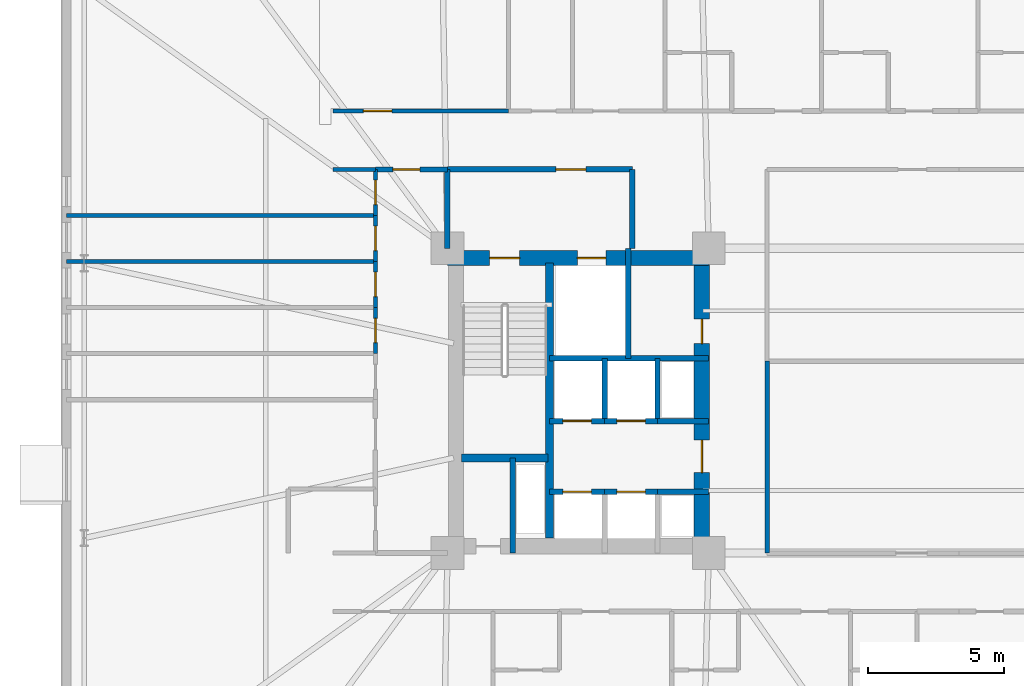
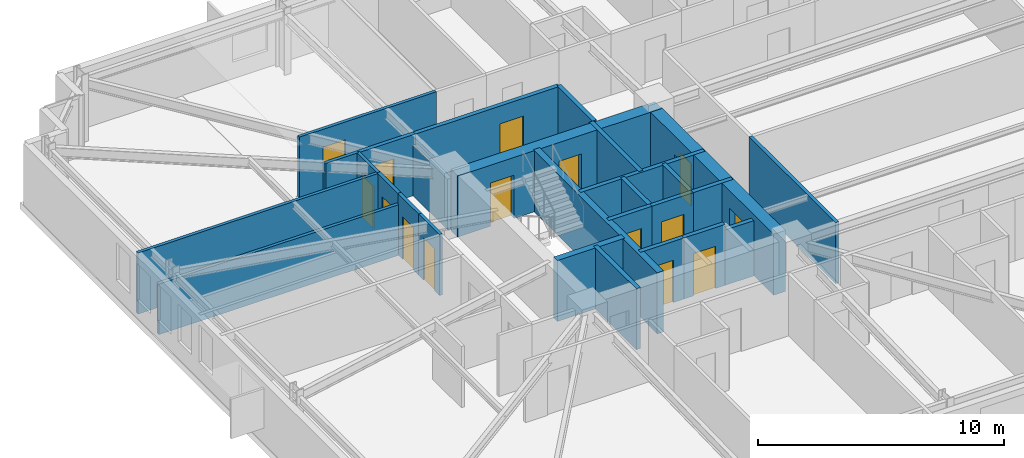
# One storey, part 15 of 22: 28 walls, 15 doors, 15 openings.
"""IFC4 building model written with IfcOpenShell, lengths in metres."""

from ifc_helpers import new_model, si_unit, direction, frame, frame_2d, origin, place, context, subcontext, project, spatial, rectangle, extrude, material, layer, layer_set, type_object, element, fill, save


model = new_model("IFC4")

# Units and contexts
model_context = context("Model", 3, precision=1e-05, world=origin(), true_north=direction((0.0, 1.0)))
body_context = subcontext(model_context, "Body", "Model", "MODEL_VIEW")
ifc_project = project(units=[si_unit("LENGTHUNIT", "METRE"), si_unit("AREAUNIT", "SQUARE_METRE"), si_unit("VOLUMEUNIT", "CUBIC_METRE"), si_unit("PLANEANGLEUNIT", "RADIAN"), si_unit("MASSUNIT", "GRAM", prefix="KILO")], contexts=[model_context])

# Site, building, storey
site_placement = place(None, origin())
site = spatial("IfcSite", under=ifc_project, at=site_placement, CompositionType="ELEMENT")
building_placement = place(site_placement, origin())
building = spatial("IfcBuilding", under=site, at=building_placement, Name="Qobustan Lattice House", CompositionType="ELEMENT")
storey_placement = place(building_placement, frame((0.0, 0.0, 53.800048828125)))
storey = spatial("IfcBuildingStorey", under=building, at=storey_placement, Name="L14", CompositionType="ELEMENT", Elevation=53.800048828125)

# Wall, openings, doors
ifc_material_1 = material(Name="Concrete C60/75", Category="concrete")
ifc_layer_1 = layer(ifc_material_1, 0.56005859375)
ifc_layer_set_1 = layer_set([ifc_layer_1], Name="Concrete C60/75")
wall_type_1 = type_object("IfcWallType", Name="WAL-CORE-600", PredefinedType="SHEAR", material=ifc_layer_set_1)
wall_1_placement = place(storey_placement, frame((-18.800048828125, 5.239990234375, 0.0), z_axis=(0.0, 0.0, 1.0), x_axis=(1.0, 0.0, 0.0)))
wall_1 = element("IfcWall", 1, at=wall_1_placement, inside=storey, type_object=wall_type_1, Name="L14 split-core shear wall CW-N", PredefinedType="SHEAR", context=body_context, shape_type="SweptSolid", body=[
    extrude(rectangle(XDim=9.60009765625, YDim=0.56005859375, at=frame_2d((4.800048828125, 0.0))), origin(), (0.0, 0.0, 1.0), 3.034912109375),
])
opening_1_placement = place(wall_1_placement, frame((1.550048828125, 0.0, 0.0)))
opening_1 = element("IfcOpeningElement", 2, at=opening_1_placement, cuts=wall_1, Name="Opening SD-01", PredefinedType="OPENING", context=body_context, shape_type="SweptSolid", body=[
    extrude(rectangle(XDim=1.10009765625, YDim=2.14990234375, at=frame_2d((0.550048828125, 1.074951171875))), frame((0.0, 0.2900390625, 0.0), z_axis=(0.0, -1.0, 0.0), x_axis=(1.0, 0.0, 0.0)), (0.0, 0.0, 1.0), 0.580078125),
])
opening_2_placement = place(wall_1_placement, frame((4.77490234375, 0.0, 0.0)))
opening_2 = element("IfcOpeningElement", 3, at=opening_2_placement, cuts=wall_1, Name="Opening LD-01", PredefinedType="OPENING", context=body_context, shape_type="SweptSolid", body=[
    extrude(rectangle(XDim=1.050048828125, YDim=2.10009765625, at=frame_2d((0.52490234375, 1.050048828125))), frame((0.0, 0.2900390625, 0.0), z_axis=(0.0, -1.0, 0.0), x_axis=(1.0, 0.0, 0.0)), (0.0, 0.0, 1.0), 0.580078125),
])
ifc_material_2 = material(Name="Persian walnut timber and steel frame door", Category="steel")
door_type_1 = type_object("IfcDoorType", Name="DOR-LIFT-LD-1050x2100", OperationType="NOTDEFINED", PredefinedType="DOOR", material=ifc_material_2)
door_1_placement = place(opening_2_placement, origin())
door_1 = element("IfcDoor", 4, at=door_1_placement, inside=storey, type_object=door_type_1, Name="L14 firefighting lift FF-W landing door", OperationType="DOUBLE_DOOR_SLIDING", OverallHeight=2.10009765625, OverallWidth=1.050048828125, PredefinedType="DOOR", context=body_context, shape_type="SweptSolid", body=[
    extrude(rectangle(XDim=1.050048828125, YDim=2.10009765625, at=frame_2d((0.52490234375, 1.050048828125))), frame((0.0, 0.02490234375, 0.0), z_axis=(0.0, -1.0, 0.0), x_axis=(1.0, 0.0, 0.0)), (0.0, 0.0, 1.0), 0.050048828125),
])
fill(opening_2, door_1)
ifc_material_3 = material(Name="Persian walnut timber and steel frame door", Category="steel")
door_type_2 = type_object("IfcDoorType", Name="DOR-STAIR-FD-1100x2150", OperationType="NOTDEFINED", PredefinedType="DOOR", material=ifc_material_3)
door_2_placement = place(opening_1_placement, origin())
door_2 = element("IfcDoor", 5, at=door_2_placement, inside=storey, type_object=door_type_2, Name="L14 exit stair ST-W1 fire door", OperationType="SINGLE_SWING_RIGHT", OverallHeight=2.14990234375, OverallWidth=1.10009765625, PredefinedType="DOOR", context=body_context, shape_type="SweptSolid", body=[
    extrude(rectangle(XDim=1.10009765625, YDim=2.14990234375, at=frame_2d((0.550048828125, 1.074951171875))), frame((0.0, 0.02490234375, 0.0), z_axis=(0.0, -1.0, 0.0), x_axis=(1.0, 0.0, 0.0)), (0.0, 0.0, 1.0), 0.050048828125),
])
fill(opening_1, door_2)

wall_2_placement = place(storey_placement, frame((-9.449951171875, -5.050048828125, 0.0), z_axis=(0.0, 0.0, 1.0), x_axis=(0.0, 1.0, 0.0)))
wall_2 = element("IfcWall", 6, at=wall_2_placement, inside=storey, type_object=wall_type_1, Name="L14 split-core shear wall CW-E", PredefinedType="SHEAR", context=body_context, shape_type="SweptSolid", body=[
    extrude(rectangle(XDim=10.10009765625, YDim=0.56005859375, at=frame_2d((5.050048828125, 0.0))), origin(), (0.0, 0.0, 1.0), 3.034912109375),
])
opening_3_placement = place(wall_2_placement, frame((7.14990234375, 0.0, 0.0)))
opening_3 = element("IfcOpeningElement", 7, at=opening_3_placement, cuts=wall_2, Name="Opening RD-01", PredefinedType="OPENING", context=body_context, shape_type="SweptSolid", body=[
    extrude(rectangle(XDim=0.89990234375, YDim=2.10009765625, at=frame_2d((0.449951171875, 1.050048828125))), frame((0.0, 0.2900390625, 0.0), z_axis=(0.0, -1.0, 0.0), x_axis=(1.0, 0.0, 0.0)), (0.0, 0.0, 1.0), 0.580078125),
])
opening_4_placement = place(wall_2_placement, frame((2.39990234375, 0.0, 0.0)))
opening_4 = element("IfcOpeningElement", 8, at=opening_4_placement, cuts=wall_2, Name="Opening FD-01", PredefinedType="OPENING", context=body_context, shape_type="SweptSolid", body=[
    extrude(rectangle(XDim=1.199951171875, YDim=2.14990234375, at=frame_2d((0.60009765625, 1.074951171875))), frame((0.0, 0.2900390625, 0.0), z_axis=(0.0, -1.0, 0.0), x_axis=(1.0, 0.0, 0.0)), (0.0, 0.0, 1.0), 0.580078125),
])
ifc_material_4 = material(Name="Persian walnut timber and steel frame door", Category="steel")
door_type_3 = type_object("IfcDoorType", Name="DOR-LOBBY-FD-1200x2150", OperationType="NOTDEFINED", PredefinedType="DOOR", material=ifc_material_4)
door_3_placement = place(opening_4_placement, origin())
door_3 = element("IfcDoor", 9, at=door_3_placement, inside=storey, type_object=door_type_3, Name="L14 West passenger lift lobby fire door", OperationType="SINGLE_SWING_RIGHT", OverallHeight=2.14990234375, OverallWidth=1.199951171875, PredefinedType="DOOR", context=body_context, shape_type="SweptSolid", body=[
    extrude(rectangle(XDim=1.199951171875, YDim=2.14990234375, at=frame_2d((0.60009765625, 1.074951171875))), frame((0.0, 0.02490234375, 0.0), z_axis=(0.0, -1.0, 0.0), x_axis=(1.0, 0.0, 0.0)), (0.0, 0.0, 1.0), 0.050048828125),
])
fill(opening_4, door_3)
ifc_material_5 = material(Name="Persian walnut timber and steel frame door", Category="steel")
door_type_4 = type_object("IfcDoorType", Name="DOR-RISER-FD-900x2100", OperationType="NOTDEFINED", PredefinedType="DOOR", material=ifc_material_5)
door_4_placement = place(opening_3_placement, origin())
door_4 = element("IfcDoor", 10, at=door_4_placement, inside=storey, type_object=door_type_4, Name="L14 Floor tea pantry fire door", OperationType="SINGLE_SWING_LEFT", OverallHeight=2.10009765625, OverallWidth=0.89990234375, PredefinedType="DOOR", context=body_context, shape_type="SweptSolid", body=[
    extrude(rectangle(XDim=0.89990234375, YDim=2.10009765625, at=frame_2d((0.449951171875, 1.050048828125))), frame((0.0, 0.02490234375, 0.0), z_axis=(0.0, -1.0, 0.0), x_axis=(1.0, 0.0, 0.0)), (0.0, 0.0, 1.0), 0.050048828125),
])
fill(opening_3, door_4)

# Walls
ifc_material_6 = material(Name="Concrete C50/60", Category="concrete")
ifc_layer_2 = layer(ifc_material_6, 0.280029296875)
ifc_layer_set_2 = layer_set([ifc_layer_2], Name="Concrete C50/60")
wall_type_2 = type_object("IfcWallType", Name="WAL-CORE-SPINE-280", PredefinedType="SHEAR", material=ifc_layer_set_2)
wall_3_placement = place(storey_placement, frame((-15.050048828125, -5.050048828125, 0.0), z_axis=(0.0, 0.0, 1.0), x_axis=(0.0, 1.0, 0.0)))
element("IfcWall", 11, at=wall_3_placement, inside=storey, type_object=wall_type_2, Name="L14 split-core shear wall CW-M", PredefinedType="SHEAR", context=body_context, shape_type="SweptSolid", body=[
    extrude(rectangle(XDim=10.10009765625, YDim=0.300048828125, at=frame_2d((5.050048828125, 0.0))), origin(), (0.0, 0.0, 1.0), 3.034912109375),
])
wall_4_placement = place(storey_placement, frame((-18.280029296875, -2.110107421875, 0.0), z_axis=(0.0, 0.0, 1.0), x_axis=(1.0, 0.0, 0.0)))
element("IfcWall", 12, at=wall_4_placement, inside=storey, type_object=wall_type_2, Name="L14 split-core shear wall CW-ST", PredefinedType="SHEAR", context=body_context, shape_type="SweptSolid", body=[
    extrude(rectangle(XDim=3.179931640625, YDim=0.300048828125, at=frame_2d((1.58984375, 0.0))), origin(), (0.0, 0.0, 1.0), 3.034912109375),
])

# Wall, opening, door
ifc_material_7 = material(Name="Gypsum fireboard acoustic partition", Category="gypsum")
ifc_layer_3 = layer(ifc_material_7, 0.179931640625)
ifc_layer_set_3 = layer_set([ifc_layer_3], Name="Gypsum fireboard acoustic partition")
wall_type_3 = type_object("IfcWallType", Name="WAL-FIRE-180", PredefinedType="PARTITIONING", material=ifc_layer_set_3)
wall_5_placement = place(storey_placement, frame((-18.800048828125, 8.5, 0.0), z_axis=(0.0, 0.0, 1.0), x_axis=(-1.0, 0.0, 0.0)))
wall_5 = element("IfcWall", 13, at=wall_5_placement, inside=storey, type_object=wall_type_3, Name="L14 interior partition 36", PredefinedType="PARTITIONING", context=body_context, shape_type="SweptSolid", body=[
    extrude(rectangle(XDim=2.64990234375, YDim=0.179931640625, at=frame_2d((1.324951171875, 0.0))), origin(), (0.0, 0.0, 1.0), 3.034912109375),
])
opening_5_placement = place(wall_5_placement, frame((1.0087890625, 0.0, 0.0)))
opening_5 = element("IfcOpeningElement", 14, at=opening_5_placement, cuts=wall_5, Name="Opening FD-02", PredefinedType="OPENING", context=body_context, shape_type="SweptSolid", body=[
    extrude(rectangle(XDim=1.0, YDim=2.14990234375, at=frame_2d((0.5, 1.074951171875))), frame((0.0, 0.099853515625, 0.0), z_axis=(0.0, -1.0, 0.0), x_axis=(1.0, 0.0, 0.0)), (0.0, 0.0, 1.0), 0.199951171875),
])
ifc_material_8 = material(Name="Persian walnut timber and steel frame door", Category="steel")
door_type_5 = type_object("IfcDoorType", Name="DOR-UNIT-FD-1000x2150", OperationType="NOTDEFINED", PredefinedType="DOOR", material=ifc_material_8)
door_5_placement = place(opening_5_placement, origin())
door_5 = element("IfcDoor", 15, at=door_5_placement, inside=storey, type_object=door_type_5, Name="L14 North-west floor corridor to Residence entrance hall L14W door", OperationType="SINGLE_SWING_LEFT", OverallHeight=2.14990234375, OverallWidth=1.0, PredefinedType="DOOR", context=body_context, shape_type="SweptSolid", body=[
    extrude(rectangle(XDim=1.0, YDim=2.14990234375, at=frame_2d((0.5, 1.074951171875))), frame((0.0, 0.02490234375, 0.0), z_axis=(0.0, -1.0, 0.0), x_axis=(1.0, 0.0, 0.0)), (0.0, 0.0, 1.0), 0.050048828125),
])
fill(opening_5, door_5)

# Wall
ifc_material_9 = material(Name="Acoustic twin-stud gypsum partition", Category="gypsum")
ifc_layer_4 = layer(ifc_material_9, 0.14990234375)
ifc_layer_set_4 = layer_set([ifc_layer_4], Name="Acoustic twin-stud gypsum partition")
wall_type_4 = type_object("IfcWallType", Name="WAL-PART-150", PredefinedType="PARTITIONING", material=ifc_layer_set_4)
wall_6_placement = place(storey_placement, frame((-21.449951171875, 8.5, 0.0), z_axis=(0.0, 0.0, 1.0), x_axis=(-1.0, 0.0, 0.0)))
element("IfcWall", 16, at=wall_6_placement, inside=storey, type_object=wall_type_4, Name="L14 interior partition 37", PredefinedType="PARTITIONING", context=body_context, shape_type="SweptSolid", body=[
    extrude(rectangle(XDim=1.550048828125, YDim=0.14990234375, at=frame_2d((0.77490234375, 0.0))), origin(), (0.0, 0.0, 1.0), 3.034912109375),
])

# Wall, opening, door
wall_7_placement = place(storey_placement, frame((-23.0, 10.64990234375, 0.0), z_axis=(0.0, 0.0, 1.0), x_axis=(1.0, 0.0, 0.0)))
wall_7 = element("IfcWall", 17, at=wall_7_placement, inside=storey, type_object=wall_type_4, Name="L14 interior partition 38", PredefinedType="PARTITIONING", context=body_context, shape_type="SweptSolid", body=[
    extrude(rectangle(XDim=6.449951171875, YDim=0.14990234375, at=frame_2d((3.22509765625, 0.0))), origin(), (0.0, 0.0, 1.0), 3.034912109375),
])
opening_6_placement = place(wall_7_placement, frame((1.110107421875, 0.0, 0.0)))
opening_6 = element("IfcOpeningElement", 18, at=opening_6_placement, cuts=wall_7, Name="Opening ID-02", PredefinedType="OPENING", context=body_context, shape_type="SweptSolid", body=[
    extrude(rectangle(XDim=1.050048828125, YDim=2.14990234375, at=frame_2d((0.52490234375, 1.074951171875))), frame((0.0, 0.0849609375, 0.0), z_axis=(0.0, -1.0, 0.0), x_axis=(1.0, 0.0, 0.0)), (0.0, 0.0, 1.0), 0.169921875),
])
ifc_material_10 = material(Name="Persian walnut timber and steel frame door", Category="steel")
door_type_6 = type_object("IfcDoorType", Name="DOR-STUDY-1050x2150", OperationType="NOTDEFINED", PredefinedType="DOOR", material=ifc_material_10)
door_6_placement = place(opening_6_placement, origin())
door_6 = element("IfcDoor", 19, at=door_6_placement, inside=storey, type_object=door_type_6, Name="L14 North-west floor corridor to Focus study room N1 door", OperationType="SINGLE_SWING_RIGHT", OverallHeight=2.14990234375, OverallWidth=1.050048828125, PredefinedType="DOOR", context=body_context, shape_type="SweptSolid", body=[
    extrude(rectangle(XDim=1.050048828125, YDim=2.14990234375, at=frame_2d((0.52490234375, 1.074951171875))), frame((0.0, 0.02490234375, 0.0), z_axis=(0.0, -1.0, 0.0), x_axis=(1.0, 0.0, 0.0)), (0.0, 0.0, 1.0), 0.050048828125),
])
fill(opening_6, door_6)

wall_8_placement = place(storey_placement, frame((-21.449951171875, 1.73193359375, 0.0), z_axis=(0.0, 0.0, 1.0), x_axis=(0.0, 1.0, 0.0)))
wall_8 = element("IfcWall", 20, at=wall_8_placement, inside=storey, type_object=wall_type_4, Name="L14 interior partition 84", PredefinedType="PARTITIONING", context=body_context, shape_type="SweptSolid", body=[
    extrude(rectangle(XDim=1.692138671875, YDim=0.14990234375, at=frame_2d((0.84619140625, 0.0))), origin(), (0.0, 0.0, 1.0), 3.034912109375),
])
opening_7_placement = place(wall_8_placement, frame((0.39599609375, 0.0, 0.0)))
opening_7 = element("IfcOpeningElement", 21, at=opening_7_placement, cuts=wall_8, Name="Opening WD-01", PredefinedType="OPENING", context=body_context, shape_type="SweptSolid", body=[
    extrude(rectangle(XDim=0.89990234375, YDim=2.10009765625, at=frame_2d((0.449951171875, 1.050048828125))), frame((0.0, 0.0849609375, 0.0), z_axis=(0.0, -1.0, 0.0), x_axis=(1.0, 0.0, 0.0)), (0.0, 0.0, 1.0), 0.169921875),
])
ifc_material_11 = material(Name="Persian walnut timber and steel frame door", Category="steel")
door_type_7 = type_object("IfcDoorType", Name="DOR-WET-900x2100", OperationType="NOTDEFINED", PredefinedType="DOOR", material=ifc_material_11)
door_7_placement = place(opening_7_placement, origin())
door_7 = element("IfcDoor", 22, at=door_7_placement, inside=storey, type_object=door_type_7, Name="L14 Residence entrance hall L14W to Cluster bedroom L14W2 door", OperationType="SINGLE_SWING_LEFT", OverallHeight=2.10009765625, OverallWidth=0.89990234375, PredefinedType="DOOR", context=body_context, shape_type="SweptSolid", body=[
    extrude(rectangle(XDim=0.89990234375, YDim=2.10009765625, at=frame_2d((0.449951171875, 1.050048828125))), frame((0.0, 0.02490234375, 0.0), z_axis=(0.0, -1.0, 0.0), x_axis=(1.0, 0.0, 0.0)), (0.0, 0.0, 1.0), 0.050048828125),
])
fill(opening_7, door_7)

wall_9_placement = place(storey_placement, frame((-21.449951171875, 3.424072265625, 0.0), z_axis=(0.0, 0.0, 1.0), x_axis=(0.0, 1.0, 0.0)))
wall_9 = element("IfcWall", 23, at=wall_9_placement, inside=storey, type_object=wall_type_4, Name="L14 interior partition 85", PredefinedType="PARTITIONING", context=body_context, shape_type="SweptSolid", body=[
    extrude(rectangle(XDim=1.69189453125, YDim=0.14990234375, at=frame_2d((0.845947265625, 0.0))), origin(), (0.0, 0.0, 1.0), 3.034912109375),
])
opening_8_placement = place(wall_9_placement, frame((0.39599609375, 0.0, 0.0)))
opening_8 = element("IfcOpeningElement", 24, at=opening_8_placement, cuts=wall_9, Name="Opening WD-01", PredefinedType="OPENING", context=body_context, shape_type="SweptSolid", body=[
    extrude(rectangle(XDim=0.89990234375, YDim=2.10009765625, at=frame_2d((0.449951171875, 1.050048828125))), frame((0.0, 0.0849609375, 0.0), z_axis=(0.0, -1.0, 0.0), x_axis=(1.0, 0.0, 0.0)), (0.0, 0.0, 1.0), 0.169921875),
])
door_8_placement = place(opening_8_placement, origin())
door_8 = element("IfcDoor", 25, at=door_8_placement, inside=storey, type_object=door_type_7, Name="L14 Residence entrance hall L14W to Cluster bedroom L14W3 door", OperationType="SINGLE_SWING_RIGHT", OverallHeight=2.10009765625, OverallWidth=0.89990234375, PredefinedType="DOOR", context=body_context, shape_type="SweptSolid", body=[
    extrude(rectangle(XDim=0.89990234375, YDim=2.10009765625, at=frame_2d((0.449951171875, 1.050048828125))), frame((0.0, 0.02490234375, 0.0), z_axis=(0.0, -1.0, 0.0), x_axis=(1.0, 0.0, 0.0)), (0.0, 0.0, 1.0), 0.050048828125),
])
fill(opening_8, door_8)

wall_10_placement = place(storey_placement, frame((-21.449951171875, 5.115966796875, 0.0), z_axis=(0.0, 0.0, 1.0), x_axis=(0.0, 1.0, 0.0)))
wall_10 = element("IfcWall", 26, at=wall_10_placement, inside=storey, type_object=wall_type_4, Name="L14 interior partition 86", PredefinedType="PARTITIONING", context=body_context, shape_type="SweptSolid", body=[
    extrude(rectangle(XDim=1.692138671875, YDim=0.14990234375, at=frame_2d((0.84619140625, 0.0))), origin(), (0.0, 0.0, 1.0), 3.034912109375),
])
opening_9_placement = place(wall_10_placement, frame((0.39599609375, 0.0, 0.0)))
opening_9 = element("IfcOpeningElement", 27, at=opening_9_placement, cuts=wall_10, Name="Opening WD-01", PredefinedType="OPENING", context=body_context, shape_type="SweptSolid", body=[
    extrude(rectangle(XDim=0.89990234375, YDim=2.10009765625, at=frame_2d((0.449951171875, 1.050048828125))), frame((0.0, 0.0849609375, 0.0), z_axis=(0.0, -1.0, 0.0), x_axis=(1.0, 0.0, 0.0)), (0.0, 0.0, 1.0), 0.169921875),
])
door_9_placement = place(opening_9_placement, origin())
door_9 = element("IfcDoor", 28, at=door_9_placement, inside=storey, type_object=door_type_7, Name="L14 Residence entrance hall L14W to Cluster bedroom L14W4 door", OperationType="SINGLE_SWING_LEFT", OverallHeight=2.10009765625, OverallWidth=0.89990234375, PredefinedType="DOOR", context=body_context, shape_type="SweptSolid", body=[
    extrude(rectangle(XDim=0.89990234375, YDim=2.10009765625, at=frame_2d((0.449951171875, 1.050048828125))), frame((0.0, 0.02490234375, 0.0), z_axis=(0.0, -1.0, 0.0), x_axis=(1.0, 0.0, 0.0)), (0.0, 0.0, 1.0), 0.050048828125),
])
fill(opening_9, door_9)

wall_11_placement = place(storey_placement, frame((-21.449951171875, 6.80810546875, 0.0), z_axis=(0.0, 0.0, 1.0), x_axis=(0.0, 1.0, 0.0)))
wall_11 = element("IfcWall", 29, at=wall_11_placement, inside=storey, type_object=wall_type_4, Name="L14 interior partition 87", PredefinedType="PARTITIONING", context=body_context, shape_type="SweptSolid", body=[
    extrude(rectangle(XDim=1.69189453125, YDim=0.14990234375, at=frame_2d((0.845947265625, 0.0))), origin(), (0.0, 0.0, 1.0), 3.034912109375),
])
opening_10_placement = place(wall_11_placement, frame((0.39599609375, 0.0, 0.0)))
opening_10 = element("IfcOpeningElement", 30, at=opening_10_placement, cuts=wall_11, Name="Opening WD-01", PredefinedType="OPENING", context=body_context, shape_type="SweptSolid", body=[
    extrude(rectangle(XDim=0.89990234375, YDim=2.10009765625, at=frame_2d((0.449951171875, 1.050048828125))), frame((0.0, 0.0849609375, 0.0), z_axis=(0.0, -1.0, 0.0), x_axis=(1.0, 0.0, 0.0)), (0.0, 0.0, 1.0), 0.169921875),
])
door_10_placement = place(opening_10_placement, origin())
door_10 = element("IfcDoor", 31, at=door_10_placement, inside=storey, type_object=door_type_7, Name="L14 Residence entrance hall L14W to Cluster bedroom L14W5 door", OperationType="SINGLE_SWING_RIGHT", OverallHeight=2.10009765625, OverallWidth=0.89990234375, PredefinedType="DOOR", context=body_context, shape_type="SweptSolid", body=[
    extrude(rectangle(XDim=0.89990234375, YDim=2.10009765625, at=frame_2d((0.449951171875, 1.050048828125))), frame((0.0, 0.02490234375, 0.0), z_axis=(0.0, -1.0, 0.0), x_axis=(1.0, 0.0, 0.0)), (0.0, 0.0, 1.0), 0.050048828125),
])
fill(opening_10, door_10)

# Walls
wall_12_placement = place(storey_placement, frame((-32.800048828125, 5.115966796875, 0.0), z_axis=(0.0, 0.0, 1.0), x_axis=(1.0, 0.0, 0.0)))
element("IfcWall", 32, at=wall_12_placement, inside=storey, type_object=wall_type_4, Name="L14 interior partition 93", PredefinedType="PARTITIONING", context=body_context, shape_type="SweptSolid", body=[
    extrude(rectangle(XDim=11.35009765625, YDim=0.14990234375, at=frame_2d((5.675048828125, 0.0))), origin(), (0.0, 0.0, 1.0), 2.52001953125),
])
wall_13_placement = place(storey_placement, frame((-32.800048828125, 6.80810546875, 0.0), z_axis=(0.0, 0.0, 1.0), x_axis=(1.0, 0.0, 0.0)))
element("IfcWall", 33, at=wall_13_placement, inside=storey, type_object=wall_type_4, Name="L14 interior partition 94", PredefinedType="PARTITIONING", context=body_context, shape_type="SweptSolid", body=[
    extrude(rectangle(XDim=11.35009765625, YDim=0.14990234375, at=frame_2d((5.675048828125, 0.0))), origin(), (0.0, 0.0, 1.0), 3.034912109375),
])
ifc_material_12 = material(Name="High-mass acoustic twin-stud partition", Category="gypsum")
ifc_layer_5 = layer(ifc_material_12, 0.1650390625)
ifc_layer_set_5 = layer_set([ifc_layer_5], Name="High-mass acoustic twin-stud partition")
wall_type_5 = type_object("IfcWallType", Name="WAL-PART-165", PredefinedType="PARTITIONING", material=ifc_layer_set_5)
wall_14_placement = place(storey_placement, frame((-7.050048828125, 1.449951171875, 0.0), z_axis=(0.0, 0.0, 1.0), x_axis=(0.0, -1.0, 0.0)))
element("IfcWall", 34, at=wall_14_placement, inside=storey, type_object=wall_type_5, Name="L14 interior partition 77", PredefinedType="PARTITIONING", context=body_context, shape_type="SweptSolid", body=[
    extrude(rectangle(XDim=7.050048828125, YDim=0.1650390625, at=frame_2d((3.52490234375, 0.0))), origin(), (0.0, 0.0, 1.0), 3.034912109375),
])

# Wall, opening, door
ifc_material_13 = material(Name="Two-hour gypsum fireboard acoustic partition", Category="gypsum")
ifc_layer_6 = layer(ifc_material_13, 0.199951171875)
ifc_layer_set_6 = layer_set([ifc_layer_6], Name="Two-hour gypsum fireboard acoustic partition")
wall_type_6 = type_object("IfcWallType", Name="WAL-PROT-200", PredefinedType="PARTITIONING", material=ifc_layer_set_6)
wall_15_placement = place(storey_placement, frame((-12.0, 8.5, 0.0), z_axis=(0.0, 0.0, 1.0), x_axis=(-1.0, 0.0, 0.0)))
wall_15 = element("IfcWall", 35, at=wall_15_placement, inside=storey, type_object=wall_type_6, Name="L14 interior partition 3", PredefinedType="PARTITIONING", context=body_context, shape_type="SweptSolid", body=[
    extrude(rectangle(XDim=6.800048828125, YDim=0.199951171875, at=frame_2d((3.39990234375, 0.0))), origin(), (0.0, 0.0, 1.0), 3.034912109375),
])
opening_11_placement = place(wall_15_placement, frame((1.715087890625, 0.0, 0.0)))
opening_11 = element("IfcOpeningElement", 36, at=opening_11_placement, cuts=wall_15, Name="Opening SD-01", PredefinedType="OPENING", context=body_context, shape_type="SweptSolid", body=[
    extrude(rectangle(XDim=1.10009765625, YDim=2.14990234375, at=frame_2d((0.550048828125, 1.074951171875))), frame((0.0, 0.10986328125, 0.0), z_axis=(0.0, -1.0, 0.0), x_axis=(1.0, 0.0, 0.0)), (0.0, 0.0, 1.0), 0.219970703125),
])
door_11_placement = place(opening_11_placement, origin())
door_11 = element("IfcDoor", 37, at=door_11_placement, inside=storey, type_object=door_type_2, Name="L14 West firefighting lift lobby to North-west floor corridor door", OperationType="SINGLE_SWING_RIGHT", OverallHeight=2.14990234375, OverallWidth=1.10009765625, PredefinedType="DOOR", context=body_context, shape_type="SweptSolid", body=[
    extrude(rectangle(XDim=1.10009765625, YDim=2.14990234375, at=frame_2d((0.550048828125, 1.074951171875))), frame((0.0, 0.02490234375, 0.0), z_axis=(0.0, -1.0, 0.0), x_axis=(1.0, 0.0, 0.0)), (0.0, 0.0, 1.0), 0.050048828125),
])
fill(opening_11, door_11)

# Walls
wall_16_placement = place(storey_placement, frame((-12.0, 5.60009765625, 0.0), z_axis=(0.0, 0.0, 1.0), x_axis=(0.0, 1.0, 0.0)))
element("IfcWall", 38, at=wall_16_placement, inside=storey, type_object=wall_type_6, Name="L14 interior partition 4", PredefinedType="PARTITIONING", context=body_context, shape_type="SweptSolid", body=[
    extrude(rectangle(XDim=2.89990234375, YDim=0.199951171875, at=frame_2d((1.449951171875, 0.0))), origin(), (0.0, 0.0, 1.0), 3.034912109375),
])
wall_17_placement = place(storey_placement, frame((-18.800048828125, 8.5, 0.0), z_axis=(0.0, 0.0, 1.0), x_axis=(0.0, -1.0, 0.0)))
element("IfcWall", 39, at=wall_17_placement, inside=storey, type_object=wall_type_6, Name="L14 interior partition 5", PredefinedType="PARTITIONING", context=body_context, shape_type="SweptSolid", body=[
    extrude(rectangle(XDim=2.89990234375, YDim=0.199951171875, at=frame_2d((1.449951171875, 0.0))), origin(), (0.0, 0.0, 1.0), 2.52001953125),
])
ifc_material_14 = material(Name="Concrete C40/50", Category="concrete")
ifc_layer_7 = layer(ifc_material_14, 0.199951171875)
ifc_layer_set_7 = layer_set([ifc_layer_7], Name="Concrete C40/50")
wall_type_7 = type_object("IfcWallType", Name="WAL-SHAFT-200", PredefinedType="PARTITIONING", material=ifc_layer_set_7)
wall_18_placement = place(storey_placement, frame((-16.39990234375, -5.60009765625, 0.0), z_axis=(0.0, 0.0, 1.0), x_axis=(0.0, 1.0, 0.0)))
element("IfcWall", 40, at=wall_18_placement, inside=storey, type_object=wall_type_7, Name="L14 interior partition 1", PredefinedType="PARTITIONING", context=body_context, shape_type="SweptSolid", body=[
    extrude(rectangle(XDim=3.489990234375, YDim=0.199951171875, at=frame_2d((1.7451171875, 0.0))), origin(), (0.0, 0.0, 1.0), 3.034912109375),
])
wall_19_placement = place(storey_placement, frame((-12.14990234375, 1.550048828125, 0.0), z_axis=(0.0, 0.0, 1.0), x_axis=(0.0, 1.0, 0.0)))
element("IfcWall", 41, at=wall_19_placement, inside=storey, type_object=wall_type_7, Name="L14 interior partition 2", PredefinedType="PARTITIONING", context=body_context, shape_type="SweptSolid", body=[
    extrude(rectangle(XDim=4.050048828125, YDim=0.199951171875, at=frame_2d((2.02490234375, 0.0))), origin(), (0.0, 0.0, 1.0), 3.034912109375),
])

# Wall, opening, door
wall_20_placement = place(storey_placement, frame((-15.050048828125, -3.35009765625, 0.0), z_axis=(0.0, 0.0, 1.0), x_axis=(1.0, 0.0, 0.0)))
wall_20 = element("IfcWall", 42, at=wall_20_placement, inside=storey, type_object=wall_type_7, Name="L14 interior partition 7", PredefinedType="PARTITIONING", context=body_context, shape_type="SweptSolid", body=[
    extrude(rectangle(XDim=2.030029296875, YDim=0.199951171875, at=frame_2d((1.01513671875, 0.0))), origin(), (0.0, 0.0, 1.0), 3.034912109375),
])
opening_12_placement = place(wall_20_placement, frame((0.489990234375, 0.0, 0.0)))
opening_12 = element("IfcOpeningElement", 43, at=opening_12_placement, cuts=wall_20, Name="Opening LD-01", PredefinedType="OPENING", context=body_context, shape_type="SweptSolid", body=[
    extrude(rectangle(XDim=1.050048828125, YDim=2.10009765625, at=frame_2d((0.52490234375, 1.050048828125))), frame((0.0, 0.10986328125, 0.0), z_axis=(0.0, -1.0, 0.0), x_axis=(1.0, 0.0, 0.0)), (0.0, 0.0, 1.0), 0.219970703125),
])
door_12_placement = place(opening_12_placement, origin())
door_12 = element("IfcDoor", 44, at=door_12_placement, inside=storey, type_object=door_type_1, Name="L14 lift landing door", OperationType="DOUBLE_DOOR_SLIDING", OverallHeight=2.10009765625, OverallWidth=1.050048828125, PredefinedType="DOOR", context=body_context, shape_type="SweptSolid", body=[
    extrude(rectangle(XDim=1.050048828125, YDim=2.10009765625, at=frame_2d((0.52490234375, 1.050048828125))), frame((0.0, 0.02490234375, 0.0), z_axis=(0.0, -1.0, 0.0), x_axis=(1.0, 0.0, 0.0)), (0.0, 0.0, 1.0), 0.050048828125),
])
fill(opening_12, door_12)

wall_21_placement = place(storey_placement, frame((-13.02001953125, -3.35009765625, 0.0), z_axis=(0.0, 0.0, 1.0), x_axis=(1.0, 0.0, 0.0)))
wall_21 = element("IfcWall", 45, at=wall_21_placement, inside=storey, type_object=wall_type_7, Name="L14 interior partition 8", PredefinedType="PARTITIONING", context=body_context, shape_type="SweptSolid", body=[
    extrude(rectangle(XDim=1.93994140625, YDim=0.199951171875, at=frame_2d((0.969970703125, 0.0))), origin(), (0.0, 0.0, 1.0), 3.034912109375),
])
opening_13_placement = place(wall_21_placement, frame((0.445068359375, 0.0, 0.0)))
opening_13 = element("IfcOpeningElement", 46, at=opening_13_placement, cuts=wall_21, Name="Opening LD-01", PredefinedType="OPENING", context=body_context, shape_type="SweptSolid", body=[
    extrude(rectangle(XDim=1.050048828125, YDim=2.10009765625, at=frame_2d((0.52490234375, 1.050048828125))), frame((0.0, 0.10986328125, 0.0), z_axis=(0.0, -1.0, 0.0), x_axis=(1.0, 0.0, 0.0)), (0.0, 0.0, 1.0), 0.219970703125),
])
door_13_placement = place(opening_13_placement, origin())
door_13 = element("IfcDoor", 47, at=door_13_placement, inside=storey, type_object=door_type_1, Name="L14 lift landing door", OperationType="DOUBLE_DOOR_SLIDING", OverallHeight=2.10009765625, OverallWidth=1.050048828125, PredefinedType="DOOR", context=body_context, shape_type="SweptSolid", body=[
    extrude(rectangle(XDim=1.050048828125, YDim=2.10009765625, at=frame_2d((0.52490234375, 1.050048828125))), frame((0.0, 0.02490234375, 0.0), z_axis=(0.0, -1.0, 0.0), x_axis=(1.0, 0.0, 0.0)), (0.0, 0.0, 1.0), 0.050048828125),
])
fill(opening_13, door_13)

# Wall
wall_22_placement = place(storey_placement, frame((-11.080078125, -3.35009765625, 0.0), z_axis=(0.0, 0.0, 1.0), x_axis=(1.0, 0.0, 0.0)))
element("IfcWall", 48, at=wall_22_placement, inside=storey, type_object=wall_type_7, Name="L14 interior partition 9", PredefinedType="PARTITIONING", context=body_context, shape_type="SweptSolid", body=[
    extrude(rectangle(XDim=1.880126953125, YDim=0.199951171875, at=frame_2d((0.93994140625, 0.0))), origin(), (0.0, 0.0, 1.0), 2.75),
])

# Wall, opening, door
wall_23_placement = place(storey_placement, frame((-13.02001953125, -0.75, 0.0), z_axis=(0.0, 0.0, 1.0), x_axis=(-1.0, 0.0, 0.0)))
wall_23 = element("IfcWall", 49, at=wall_23_placement, inside=storey, type_object=wall_type_7, Name="L14 interior partition 10", PredefinedType="PARTITIONING", context=body_context, shape_type="SweptSolid", body=[
    extrude(rectangle(XDim=2.030029296875, YDim=0.199951171875, at=frame_2d((1.01513671875, 0.0))), origin(), (0.0, 0.0, 1.0), 3.034912109375),
])
opening_14_placement = place(wall_23_placement, frame((0.489990234375, 0.0, 0.0)))
opening_14 = element("IfcOpeningElement", 50, at=opening_14_placement, cuts=wall_23, Name="Opening LD-01", PredefinedType="OPENING", context=body_context, shape_type="SweptSolid", body=[
    extrude(rectangle(XDim=1.050048828125, YDim=2.10009765625, at=frame_2d((0.52490234375, 1.050048828125))), frame((0.0, 0.10986328125, 0.0), z_axis=(0.0, -1.0, 0.0), x_axis=(1.0, 0.0, 0.0)), (0.0, 0.0, 1.0), 0.219970703125),
])
door_14_placement = place(opening_14_placement, origin())
door_14 = element("IfcDoor", 51, at=door_14_placement, inside=storey, type_object=door_type_1, Name="L14 lift landing door", OperationType="DOUBLE_DOOR_SLIDING", OverallHeight=2.10009765625, OverallWidth=1.050048828125, PredefinedType="DOOR", context=body_context, shape_type="SweptSolid", body=[
    extrude(rectangle(XDim=1.050048828125, YDim=2.10009765625, at=frame_2d((0.52490234375, 1.050048828125))), frame((0.0, 0.02490234375, 0.0), z_axis=(0.0, -1.0, 0.0), x_axis=(1.0, 0.0, 0.0)), (0.0, 0.0, 1.0), 0.050048828125),
])
fill(opening_14, door_14)

wall_24_placement = place(storey_placement, frame((-11.080078125, -0.75, 0.0), z_axis=(0.0, 0.0, 1.0), x_axis=(-1.0, 0.0, 0.0)))
wall_24 = element("IfcWall", 52, at=wall_24_placement, inside=storey, type_object=wall_type_7, Name="L14 interior partition 11", PredefinedType="PARTITIONING", context=body_context, shape_type="SweptSolid", body=[
    extrude(rectangle(XDim=1.93994140625, YDim=0.199951171875, at=frame_2d((0.969970703125, 0.0))), origin(), (0.0, 0.0, 1.0), 3.034912109375),
])
opening_15_placement = place(wall_24_placement, frame((0.445068359375, 0.0, 0.0)))
opening_15 = element("IfcOpeningElement", 53, at=opening_15_placement, cuts=wall_24, Name="Opening LD-01", PredefinedType="OPENING", context=body_context, shape_type="SweptSolid", body=[
    extrude(rectangle(XDim=1.050048828125, YDim=2.10009765625, at=frame_2d((0.52490234375, 1.050048828125))), frame((0.0, 0.10986328125, 0.0), z_axis=(0.0, -1.0, 0.0), x_axis=(1.0, 0.0, 0.0)), (0.0, 0.0, 1.0), 0.219970703125),
])
door_15_placement = place(opening_15_placement, origin())
door_15 = element("IfcDoor", 54, at=door_15_placement, inside=storey, type_object=door_type_1, Name="L14 lift landing door", OperationType="DOUBLE_DOOR_SLIDING", OverallHeight=2.10009765625, OverallWidth=1.050048828125, PredefinedType="DOOR", context=body_context, shape_type="SweptSolid", body=[
    extrude(rectangle(XDim=1.050048828125, YDim=2.10009765625, at=frame_2d((0.52490234375, 1.050048828125))), frame((0.0, 0.02490234375, 0.0), z_axis=(0.0, -1.0, 0.0), x_axis=(1.0, 0.0, 0.0)), (0.0, 0.0, 1.0), 0.050048828125),
])
fill(opening_15, door_15)

# Walls
wall_25_placement = place(storey_placement, frame((-9.199951171875, -0.75, 0.0), z_axis=(0.0, 0.0, 1.0), x_axis=(-1.0, 0.0, 0.0)))
element("IfcWall", 55, at=wall_25_placement, inside=storey, type_object=wall_type_7, Name="L14 interior partition 12", PredefinedType="PARTITIONING", context=body_context, shape_type="SweptSolid", body=[
    extrude(rectangle(XDim=1.880126953125, YDim=0.199951171875, at=frame_2d((0.93994140625, 0.0))), origin(), (0.0, 0.0, 1.0), 3.034912109375),
])
for number, where, z_axis, x_axis, name in (
    (56, (-13.02001953125, -0.75, 0.0), (0.0, 0.0, 1.0), (0.0, 1.0, 0.0), "L14 interior partition 16"),
    (57, (-11.080078125, -0.75, 0.0), (0.0, 0.0, 1.0), (0.0, 1.0, 0.0), "L14 interior partition 17"),
):
    element("IfcWall", number, at=place(storey_placement, frame(where, z_axis=z_axis, x_axis=x_axis)), inside=storey, type_object=wall_type_7, Name=name, PredefinedType="PARTITIONING", context=body_context, shape_type="SweptSolid", body=[
        extrude(rectangle(XDim=2.300048828125, YDim=0.199951171875, at=frame_2d((1.14990234375, 0.0))), origin(), (0.0, 0.0, 1.0), 3.034912109375),
    ])
wall_26_placement = place(storey_placement, frame((-15.050048828125, 1.550048828125, 0.0), z_axis=(0.0, 0.0, 1.0), x_axis=(1.0, 0.0, 0.0)))
element("IfcWall", 58, at=wall_26_placement, inside=storey, type_object=wall_type_7, Name="L14 interior partition 155", PredefinedType="PARTITIONING", context=body_context, shape_type="SweptSolid", body=[
    extrude(rectangle(XDim=5.85009765625, YDim=0.199951171875, at=frame_2d((2.925048828125, 0.0))), origin(), (0.0, 0.0, 1.0), 3.034912109375),
])

save(model, "model.ifc")
